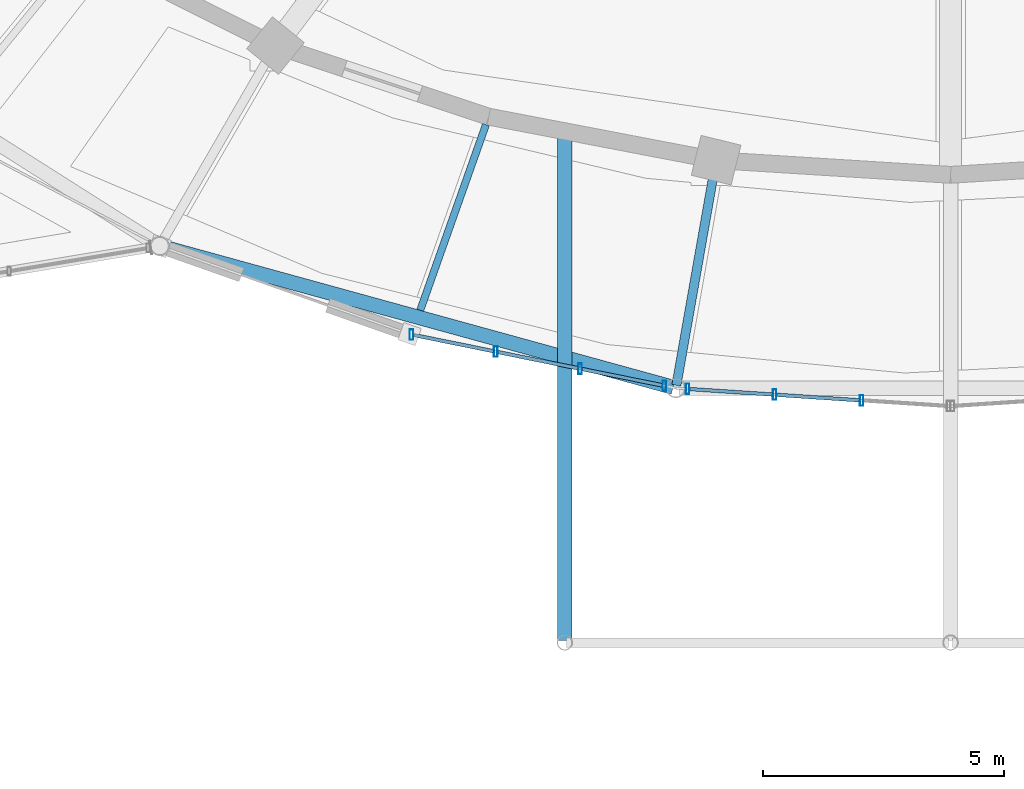
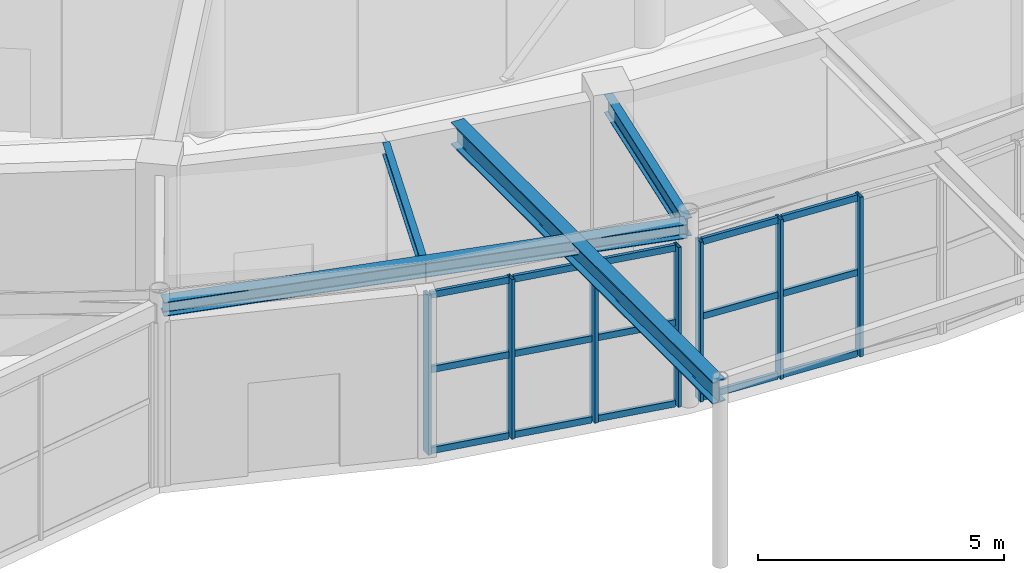
# One storey, part 37 of 108: 22 members, 4 beams, 2 elements without a shape of their own.
"""IFC4 building model written with IfcOpenShell, lengths in metres."""

import ifcopenshell
import ifcopenshell.guid

model = None  # the IFC model being written
_history = None  # IfcOwnerHistory: only IFC2X3 demands one
_inside = {}  # id of a spatial element -> (the spatial element, [elements in it])
_under = {}  # id of a project, library or spatial element -> (it, [spatial elements below it])
_declared = {}  # id of a project -> (the project, [libraries it declares])
_typed = {}  # id of a type object -> (the type object, [elements of that type])
_made_of = {}  # id of a material, layer set ... -> (it, [elements and type objects made of it])


def new_model(schema):
    """Start an empty IFC model of exactly this schema.

    Asked for "IFC4X3", IfcOpenShell would pick the latest addendum, in which some entities
    have other attributes; the version numbers below select the first issue.
    IFC2X3 requires an IfcOwnerHistory on every rooted entity: one is made here for all.
    """
    global model, _history
    if schema == "IFC4X3":
        model = ifcopenshell.file(schema_version=(4, 3, 0, 0))
    else:
        model = ifcopenshell.file(schema=schema)
    _inside.clear()
    _under.clear()
    _declared.clear()
    _typed.clear()
    _made_of.clear()
    _history = None
    if model.schema == "IFC2X3":
        org = make("IfcOrganization", Name="unknown")
        user = make(
            "IfcPersonAndOrganization",
            ThePerson=make("IfcPerson", FamilyName="unknown"),
            TheOrganization=org,
        )
        app = make(
            "IfcApplication",
            ApplicationDeveloper=org,
            Version="unknown",
            ApplicationFullName="unknown",
            ApplicationIdentifier="unknown",
        )
        _history = make(
            "IfcOwnerHistory",
            OwningUser=user,
            OwningApplication=app,
            ChangeAction="ADDED",
            CreationDate=0,
        )
    return model


def make(cls, **values):
    """One entity of the class cls with the attributes given. An attribute that is None is left unset."""
    return model.create_entity(
        cls, **{name: value for name, value in values.items() if value is not None}
    )


def rooted(cls, **values):
    """An entity with a GlobalId (a new one), such as an element, a storey or a relation."""
    return make(cls, GlobalId=ifcopenshell.guid.new(), OwnerHistory=_history, **values)


def si_unit(unit_type, name, prefix=None):
    """IfcSIUnit, for example si_unit("LENGTHUNIT", "METRE", prefix="MILLI")."""
    return make("IfcSIUnit", UnitType=unit_type, Prefix=prefix, Name=name)


def assignment(units):
    """IfcUnitAssignment: the units of a project."""
    return None if units is None else make("IfcUnitAssignment", Units=units)


def point(xyz):
    """IfcCartesianPoint."""
    return None if xyz is None else make("IfcCartesianPoint", Coordinates=xyz)


def direction(xyz):
    """IfcDirection."""
    return None if xyz is None else make("IfcDirection", DirectionRatios=xyz)


def frame(location, z_axis=None, x_axis=None):
    """IfcAxis2Placement3D, a coordinate frame: its origin and axes. An axis left out is left unset."""
    return make(
        "IfcAxis2Placement3D",
        Location=point(location),
        Axis=direction(z_axis),
        RefDirection=direction(x_axis),
    )


def frame_2d(location, x_axis=None):
    """IfcAxis2Placement2D, a coordinate frame in the plane: its origin and x axis."""
    return make(
        "IfcAxis2Placement2D", Location=point(location), RefDirection=direction(x_axis)
    )


def origin():
    """The frame at (0, 0, 0) with its axes left unset."""
    return frame((0.0, 0.0, 0.0))


def origin_2d():
    """The frame at (0, 0) in the plane with its x axis left unset."""
    return frame_2d((0.0, 0.0))


def place(relative_to, where):
    """IfcLocalPlacement: puts the frame where relative to a parent placement (None: the world)."""
    return make(
        "IfcLocalPlacement", PlacementRelTo=relative_to, RelativePlacement=where
    )


def context(
    kind, dimensions, precision=None, world=None, true_north=None, identifier=None
):
    """IfcGeometricRepresentationContext, for example the 3D "Model" context."""
    return make(
        "IfcGeometricRepresentationContext",
        ContextIdentifier=identifier,
        ContextType=kind,
        CoordinateSpaceDimension=dimensions,
        Precision=precision,
        WorldCoordinateSystem=world,
        TrueNorth=true_north,
    )


def subcontext(parent, identifier, kind, view, scale=None):
    """IfcGeometricRepresentationSubContext, for example "Body" below "Model"."""
    return make(
        "IfcGeometricRepresentationSubContext",
        ContextIdentifier=identifier,
        ContextType=kind,
        ParentContext=parent,
        TargetScale=scale,
        TargetView=view,
    )


def project(units=None, contexts=None):
    """IfcProject with its units and contexts."""
    return rooted(
        "IfcProject",
        Name="project",
        RepresentationContexts=contexts,
        UnitsInContext=assignment(units),
    )


def spatial(cls, under=None, at=None, **own):
    """A site, building, storey or space (cls), placed at a placement, below another one or the project."""
    s = rooted(cls, ObjectPlacement=at, **own)
    if under is not None:
        _under.setdefault(under.id(), (under, []))[1].append(s)
    return s


def profile(cls, at=None, kind="AREA", **sizes):
    """A parametric profile (cls). Its sizes go by their IFC names, for example OverallWidth=200.0."""
    return make(cls, ProfileType=kind, Position=at, **sizes)


def hollow_rectangle(**sizes):
    """IfcRectangleHollowProfileDef."""
    return profile("IfcRectangleHollowProfileDef", **sizes)


def i_section(**sizes):
    """IfcIShapeProfileDef."""
    return profile("IfcIShapeProfileDef", **sizes)


def extrude(swept, where, along, depth):
    """IfcExtrudedAreaSolid: the profile swept, set in the frame where, extruded along a direction by depth."""
    return make(
        "IfcExtrudedAreaSolid",
        SweptArea=swept,
        Position=where,
        ExtrudedDirection=direction(along),
        Depth=depth,
    )


def shape(context_of_items, identifier, shape_type, items):
    """IfcShapeRepresentation: the items that make up one representation, for example the "Body"."""
    return make(
        "IfcShapeRepresentation",
        ContextOfItems=context_of_items,
        RepresentationIdentifier=identifier,
        RepresentationType=shape_type,
        Items=items,
    )


def material(Name=None, Category=None):
    """IfcMaterial."""
    return make("IfcMaterial", Name=Name, Category=Category)


def material_profile(
    of_material, cross_section, Name=None, Category=None, Priority=None
):
    """IfcMaterialProfile: a cross section and its material."""
    return make(
        "IfcMaterialProfile",
        Name=Name,
        Material=of_material,
        Profile=cross_section,
        Priority=Priority,
        Category=Category,
    )


def profile_set(profiles, Name=None, composite=None):
    """IfcMaterialProfileSet."""
    return make(
        "IfcMaterialProfileSet",
        Name=Name,
        MaterialProfiles=profiles,
        CompositeProfile=composite,
    )


def made_of(thing, what):
    """Note that an element or type object is made of a material, layer set ...; save() writes the relation."""
    if what is not None:
        _made_of.setdefault(what.id(), (what, []))[1].append(thing)
    return thing


def type_object(cls, material=None, **own):
    """A type object (cls), such as IfcWallType, which elements share."""
    return made_of(rooted(cls, **own), material)


def element(
    cls,
    number,
    at=None,
    inside=None,
    cuts=None,
    type_object=None,
    material=None,
    context=None,
    identifier="Body",
    shape_type=None,
    held_by="IfcProductDefinitionShape",
    body=None,
    shapes=None,
    **own,
):
    """One element of the class cls, such as IfcWall. Its Tag is "e" and its number.

    at: its placement. inside: the storey or other place that contains it. cuts: it is an
    opening in that element (IfcRelVoidsElement). A single representation is given by context,
    identifier, shape_type and body (its items); several are given by shapes. held_by: the class
    of the entity that holds the representations. save() writes the other relations.
    """
    e = rooted(cls, Tag="e%d" % number, ObjectPlacement=at, **own)
    if body is not None:
        shapes = [shape(context, identifier, shape_type, body)]
    if shapes is not None:
        e.Representation = make(held_by, Representations=shapes)
    if inside is not None:
        _inside.setdefault(inside.id(), (inside, []))[1].append(e)
    if cuts is not None:
        rooted(
            "IfcRelVoidsElement", RelatingBuildingElement=cuts, RelatedOpeningElement=e
        )
    if type_object is not None:
        _typed.setdefault(type_object.id(), (type_object, []))[1].append(e)
    return made_of(e, material)


def aggregate(whole, parts):
    """IfcRelAggregates: a whole, such as a stair, and the parts it consists of."""
    return rooted("IfcRelAggregates", RelatingObject=whole, RelatedObjects=parts)


def save(model, path):
    """Write the relations noted so far, then the file.

    IfcRelAggregates (storeys below a building ...), IfcRelContainedInSpatialStructure (elements
    in a storey), IfcRelDefinesByType, IfcRelAssociatesMaterial and IfcRelDeclares: one each for
    every whole, place, type object, material and project.
    """
    for whole, parts in _under.values():
        aggregate(whole, parts)
    for where, things in _inside.values():
        rooted(
            "IfcRelContainedInSpatialStructure",
            RelatedElements=things,
            RelatingStructure=where,
        )
    for kind, things in _typed.values():
        rooted("IfcRelDefinesByType", RelatedObjects=things, RelatingType=kind)
    for what, things in _made_of.values():
        rooted("IfcRelAssociatesMaterial", RelatedObjects=things, RelatingMaterial=what)
    for by, libraries in _declared.values():
        rooted("IfcRelDeclares", RelatingContext=by, RelatedDefinitions=libraries)
    model.write(path)


model = new_model("IFC4")

# Units and contexts
model_context = context("Model", 3, precision=1e-05, world=origin(), true_north=direction((0.0, 1.0)))
body_context = subcontext(model_context, "Body", "Model", "MODEL_VIEW")
ifc_project = project(units=[si_unit("LENGTHUNIT", "METRE"), si_unit("AREAUNIT", "SQUARE_METRE"), si_unit("VOLUMEUNIT", "CUBIC_METRE"), si_unit("PLANEANGLEUNIT", "RADIAN"), si_unit("MASSUNIT", "GRAM", prefix="KILO")], contexts=[model_context])

# Site, building, storey
site_placement = place(None, origin())
site = spatial("IfcSite", under=ifc_project, at=site_placement, CompositionType="ELEMENT")
building_placement = place(site_placement, origin())
building = spatial("IfcBuilding", under=site, at=building_placement, Name="Tarnveldt Headland Concert Hall", CompositionType="ELEMENT")
storey_placement = place(building_placement, origin())
storey = spatial("IfcBuildingStorey", under=building, at=storey_placement, Name="L00", CompositionType="ELEMENT", Elevation=0.0)

# Curtain wall, members
ifc_material_1 = material(Name="Marine-anodised aluminium EN AW-6063-T6", Category="aluminium")
curtain_wall_type = type_object("IfcCurtainWallType", Name="CW-F1", PredefinedType="NOTDEFINED", material=ifc_material_1)
curtain_wall_1_placement = place(storey_placement, origin())
curtain_wall_1 = element("IfcCurtainWall", 1, at=curtain_wall_1_placement, inside=storey, type_object=curtain_wall_type, Name="Curtain wall CW-L00-018", PredefinedType="NOTDEFINED")
ifc_material_profile_1 = material_profile(ifc_material_1, hollow_rectangle(XDim=0.074951171875, YDim=0.219970703125, WallThickness=0.0048828125, at=origin_2d()), Name="ALU MULLION 75x220x5", Category="aluminium")
ifc_profile_set_1 = profile_set([ifc_material_profile_1], Name="Marine-anodised aluminium EN AW-6063-T6")
member_type_1 = type_object("IfcMemberType", Name="ML-200", PredefinedType="MULLION", material=ifc_profile_set_1)
member_1_placement = place(storey_placement, frame((72.32080078125, 31.187744140625, 0.0), z_axis=(0.0, 0.0, 1.0), x_axis=(1.0, 0.0, 0.0)))
member_1 = element("IfcMember", 2, at=member_1_placement, type_object=member_type_1, Name="Mullion CW-L00-018-1", PredefinedType="MULLION", context=body_context, shape_type="SweptSolid", body=[
    extrude(hollow_rectangle(XDim=0.074951171875, YDim=0.219970703125, WallThickness=0.0048828125, at=origin_2d()), origin(), (0.0, 0.0, 1.0), 3.9580078125),
])
member_2_placement = place(storey_placement, frame((74.069091796875, 30.83349609375, 0.0), z_axis=(0.0, 0.0, 1.0), x_axis=(1.0, 0.0, 0.0)))
member_2 = element("IfcMember", 3, at=member_2_placement, type_object=member_type_1, Name="Mullion CW-L00-018-2", PredefinedType="MULLION", context=body_context, shape_type="SweptSolid", body=[
    extrude(hollow_rectangle(XDim=0.074951171875, YDim=0.219970703125, WallThickness=0.0048828125, at=origin_2d()), origin(), (0.0, 0.0, 1.0), 3.9580078125),
])
member_3_placement = place(storey_placement, frame((75.817626953125, 30.479248046875, 0.0), z_axis=(0.0, 0.0, 1.0), x_axis=(1.0, 0.0, 0.0)))
member_3 = element("IfcMember", 4, at=member_3_placement, type_object=member_type_1, Name="Mullion CW-L00-018-3", PredefinedType="MULLION", context=body_context, shape_type="SweptSolid", body=[
    extrude(hollow_rectangle(XDim=0.074951171875, YDim=0.219970703125, WallThickness=0.0048828125, at=origin_2d()), origin(), (0.0, 0.0, 1.0), 3.9580078125),
])
member_4_placement = place(storey_placement, frame((77.56591796875, 30.125, 0.0), z_axis=(0.0, 0.0, 1.0), x_axis=(1.0, 0.0, 0.0)))
member_4 = element("IfcMember", 5, at=member_4_placement, type_object=member_type_1, Name="Mullion CW-L00-018-4", PredefinedType="MULLION", context=body_context, shape_type="SweptSolid", body=[
    extrude(hollow_rectangle(XDim=0.074951171875, YDim=0.219970703125, WallThickness=0.0048828125, at=origin_2d()), origin(), (0.0, 0.0, 1.0), 3.9580078125),
])

curtain_wall_2_placement = place(storey_placement, origin())
curtain_wall_2 = element("IfcCurtainWall", 6, at=curtain_wall_2_placement, inside=storey, type_object=curtain_wall_type, Name="Curtain wall CW-L00-019", PredefinedType="NOTDEFINED")
member_5_placement = place(storey_placement, frame((78.047119140625, 30.060791015625, 0.0), z_axis=(0.0, 0.0, 1.0), x_axis=(1.0, 0.0, 0.0)))
member_5 = element("IfcMember", 7, at=member_5_placement, type_object=member_type_1, Name="Mullion CW-L00-019-1", PredefinedType="MULLION", context=body_context, shape_type="SweptSolid", body=[
    extrude(hollow_rectangle(XDim=0.074951171875, YDim=0.219970703125, WallThickness=0.0048828125, at=origin_2d()), origin(), (0.0, 0.0, 1.0), 3.9580078125),
])
member_6_placement = place(storey_placement, frame((79.851318359375, 29.94140625, 0.0), z_axis=(0.0, 0.0, 1.0), x_axis=(1.0, 0.0, 0.0)))
member_6 = element("IfcMember", 8, at=member_6_placement, type_object=member_type_1, Name="Mullion CW-L00-019-2", PredefinedType="MULLION", context=body_context, shape_type="SweptSolid", body=[
    extrude(hollow_rectangle(XDim=0.074951171875, YDim=0.219970703125, WallThickness=0.0048828125, at=origin_2d()), origin(), (0.0, 0.0, 1.0), 3.9580078125),
])
member_7_placement = place(storey_placement, frame((81.65576171875, 29.822021484375, 0.0), z_axis=(0.0, 0.0, 1.0), x_axis=(1.0, 0.0, 0.0)))
member_7 = element("IfcMember", 9, at=member_7_placement, type_object=member_type_1, Name="Mullion CW-L00-019-3", PredefinedType="MULLION", context=body_context, shape_type="SweptSolid", body=[
    extrude(hollow_rectangle(XDim=0.074951171875, YDim=0.219970703125, WallThickness=0.0048828125, at=origin_2d()), origin(), (0.0, 0.0, 1.0), 3.9580078125),
])

# Beams
ifc_material_2 = material(Name="Steel S355", Category="steel")
ifc_material_profile_2 = material_profile(ifc_material_2, i_section(OverallWidth=0.300048828125, OverallDepth=0.35009765625, WebThickness=0.010009765625, FlangeThickness=0.017578125, FilletRadius=0.027099609375, at=origin_2d()), Name="HEA360", Category="steel")
ifc_profile_set_2 = profile_set([ifc_material_profile_2], Name="Steel S355")
beam_type_1 = type_object("IfcBeamType", Name="SB-HEA360", PredefinedType="SPANDREL", material=ifc_profile_set_2)
beam_1_placement = place(storey_placement, frame((67.15771484375, 33.006591796875, 4.344970703125), z_axis=(0.964161617091, -0.265315616065, 0.0), x_axis=(0.265315616065, 0.964161617091, 0.0)))
element("IfcBeam", 10, at=beam_1_placement, inside=storey, type_object=beam_type_1, Name="Framing beam L00-383", PredefinedType="SPANDREL", context=body_context, shape_type="SweptSolid", body=[
    extrude(i_section(OverallWidth=0.300048828125, OverallDepth=0.35009765625, WebThickness=0.010009765625, FlangeThickness=0.017578125, FilletRadius=0.027099609375, at=origin_2d()), origin(), (0.0, 0.0, 1.0), 10.982421875),
])
ifc_material_profile_3 = material_profile(ifc_material_2, i_section(OverallWidth=0.300048828125, OverallDepth=0.550048828125, WebThickness=0.014892578125, FlangeThickness=0.029052734375, FilletRadius=0.027099609375, at=origin_2d()), Name="HEB550", Category="steel")
ifc_profile_set_3 = profile_set([ifc_material_profile_3], Name="Steel S355")
beam_type_2 = type_object("IfcBeamType", Name="SB-HEB550", PredefinedType="BEAM", material=ifc_profile_set_3)
beam_2_placement = place(storey_placement, frame((75.5, 35.47998046875, 4.2451171875), z_axis=(0.0, -1.0, 0.0), x_axis=(1.0, 0.0, 0.0)))
element("IfcBeam", 11, at=beam_2_placement, inside=storey, type_object=beam_type_2, Name="Framing beam L00-1448", PredefinedType="BEAM", context=body_context, shape_type="SweptSolid", body=[
    extrude(i_section(OverallWidth=0.300048828125, OverallDepth=0.550048828125, WebThickness=0.014892578125, FlangeThickness=0.029052734375, FilletRadius=0.027099609375, at=origin_2d()), origin(), (0.0, 0.0, 1.0), 10.639892578125),
])
ifc_material_profile_4 = material_profile(ifc_material_2, i_section(OverallWidth=0.14990234375, OverallDepth=0.300048828125, WebThickness=0.007080078125, FlangeThickness=0.0107421875, FilletRadius=0.014892578125, at=origin_2d()), Name="IPE300", Category="steel")
ifc_profile_set_4 = profile_set([ifc_material_profile_4], Name="Steel S355")
beam_type_3 = type_object("IfcBeamType", Name="SB-IPE300", PredefinedType="JOIST", material=ifc_profile_set_4)
beam_3_placement = place(storey_placement, frame((73.864990234375, 35.541015625, 4.3701171875), z_axis=(-0.33369553072, -0.942680907188, 0.0), x_axis=(0.942680907188, -0.33369553072, 0.0)))
element("IfcBeam", 12, at=beam_3_placement, inside=storey, type_object=beam_type_3, Name="Framing beam L00-385", PredefinedType="JOIST", context=body_context, shape_type="SweptSolid", body=[
    extrude(i_section(OverallWidth=0.14990234375, OverallDepth=0.300048828125, WebThickness=0.007080078125, FlangeThickness=0.0107421875, FilletRadius=0.014892578125, at=origin_2d()), origin(), (0.0, 0.0, 1.0), 4.083984375),
])
ifc_material_profile_5 = material_profile(ifc_material_2, i_section(OverallWidth=0.18994140625, OverallDepth=0.449951171875, WebThickness=0.009521484375, FlangeThickness=0.0146484375, FilletRadius=0.02099609375, at=origin_2d()), Name="IPE450", Category="steel")
ifc_profile_set_5 = profile_set([ifc_material_profile_5], Name="Steel S355")
beam_type_4 = type_object("IfcBeamType", Name="SB-IPE450", PredefinedType="BEAM", material=ifc_profile_set_5)
beam_4_placement = place(storey_placement, frame((78.631103515625, 34.764404296875, 4.294921875), z_axis=(-0.173708285572, -0.984797152475, 0.0), x_axis=(0.984797152475, -0.173708285572, 0.0)))
element("IfcBeam", 13, at=beam_4_placement, inside=storey, type_object=beam_type_4, Name="Framing beam L00-387", PredefinedType="BEAM", context=body_context, shape_type="SweptSolid", body=[
    extrude(i_section(OverallWidth=0.18994140625, OverallDepth=0.449951171875, WebThickness=0.009521484375, FlangeThickness=0.0146484375, FilletRadius=0.02099609375, at=origin_2d()), origin(), (0.0, 0.0, 1.0), 4.699951171875),
])

# Member
ifc_material_profile_6 = material_profile(ifc_material_1, hollow_rectangle(XDim=0.074951171875, YDim=0.159912109375, WallThickness=0.00390625, at=origin_2d()), Name="ALU TRANSOM 75x160x4", Category="aluminium")
ifc_profile_set_6 = profile_set([ifc_material_profile_6], Name="Marine-anodised aluminium EN AW-6063-T6")
member_type_2 = type_object("IfcMemberType", Name="TR-160", PredefinedType="MEMBER", material=ifc_profile_set_6)
member_8_placement = place(storey_placement, frame((72.369384765625, 31.177978515625, 0.050048828125), z_axis=(0.980070264474, -0.198651143198, 0.0), x_axis=(0.198651143198, 0.980070264474, 0.0)))
member_8 = element("IfcMember", 14, at=member_8_placement, type_object=member_type_2, Name="Transom CW-L00-018-1-1", PredefinedType="MEMBER", context=body_context, shape_type="SweptSolid", body=[
    extrude(hollow_rectangle(XDim=0.074951171875, YDim=0.159912109375, WallThickness=0.00390625, at=origin_2d()), origin(), (0.0, 0.0, 1.0), 1.68505859375),
])

member_9_placement = place(storey_placement, frame((72.369384765625, 31.177978515625, 2.05810546875), z_axis=(0.980070264474, -0.198651143198, 0.0), x_axis=(0.198651143198, 0.980070264474, 0.0)))
member_9 = element("IfcMember", 15, at=member_9_placement, type_object=member_type_2, Name="Transom CW-L00-018-1-2", PredefinedType="MEMBER", context=body_context, shape_type="SweptSolid", body=[
    extrude(hollow_rectangle(XDim=0.074951171875, YDim=0.159912109375, WallThickness=0.00390625, at=origin_2d()), origin(), (0.0, 0.0, 1.0), 1.68505859375),
])

member_10_placement = place(storey_placement, frame((72.369384765625, 31.177978515625, 3.907958984375), z_axis=(0.980070264474, -0.198651143198, 0.0), x_axis=(0.198651143198, 0.980070264474, 0.0)))
member_10 = element("IfcMember", 16, at=member_10_placement, type_object=member_type_2, Name="Transom CW-L00-018-1-3", PredefinedType="MEMBER", context=body_context, shape_type="SweptSolid", body=[
    extrude(hollow_rectangle(XDim=0.074951171875, YDim=0.159912109375, WallThickness=0.00390625, at=origin_2d()), origin(), (0.0, 0.0, 1.0), 1.68505859375),
])

member_11_placement = place(storey_placement, frame((74.11767578125, 30.82373046875, 0.050048828125), z_axis=(0.980070264474, -0.198651143198, 0.0), x_axis=(0.198651143198, 0.980070264474, 0.0)))
member_11 = element("IfcMember", 17, at=member_11_placement, type_object=member_type_2, Name="Transom CW-L00-018-2-1", PredefinedType="MEMBER", context=body_context, shape_type="SweptSolid", body=[
    extrude(hollow_rectangle(XDim=0.074951171875, YDim=0.159912109375, WallThickness=0.00390625, at=origin_2d()), origin(), (0.0, 0.0, 1.0), 1.68505859375),
])

member_12_placement = place(storey_placement, frame((74.11767578125, 30.82373046875, 2.05810546875), z_axis=(0.980070264474, -0.198651143198, 0.0), x_axis=(0.198651143198, 0.980070264474, 0.0)))
member_12 = element("IfcMember", 18, at=member_12_placement, type_object=member_type_2, Name="Transom CW-L00-018-2-2", PredefinedType="MEMBER", context=body_context, shape_type="SweptSolid", body=[
    extrude(hollow_rectangle(XDim=0.074951171875, YDim=0.159912109375, WallThickness=0.00390625, at=origin_2d()), origin(), (0.0, 0.0, 1.0), 1.68505859375),
])

member_13_placement = place(storey_placement, frame((74.11767578125, 30.82373046875, 3.907958984375), z_axis=(0.980070264474, -0.198651143198, 0.0), x_axis=(0.198651143198, 0.980070264474, 0.0)))
member_13 = element("IfcMember", 19, at=member_13_placement, type_object=member_type_2, Name="Transom CW-L00-018-2-3", PredefinedType="MEMBER", context=body_context, shape_type="SweptSolid", body=[
    extrude(hollow_rectangle(XDim=0.074951171875, YDim=0.159912109375, WallThickness=0.00390625, at=origin_2d()), origin(), (0.0, 0.0, 1.0), 1.68505859375),
])

member_14_placement = place(storey_placement, frame((75.8662109375, 30.469482421875, 0.050048828125), z_axis=(0.980092754065, -0.19854015571, 0.0), x_axis=(0.19854015571, 0.980092754065, 0.0)))
member_14 = element("IfcMember", 20, at=member_14_placement, type_object=member_type_2, Name="Transom CW-L00-018-3-1", PredefinedType="MEMBER", context=body_context, shape_type="SweptSolid", body=[
    extrude(hollow_rectangle(XDim=0.074951171875, YDim=0.159912109375, WallThickness=0.00390625, at=origin_2d()), origin(), (0.0, 0.0, 1.0), 1.6845703125),
])

member_15_placement = place(storey_placement, frame((75.8662109375, 30.469482421875, 2.05810546875), z_axis=(0.980092754065, -0.19854015571, 0.0), x_axis=(0.19854015571, 0.980092754065, 0.0)))
member_15 = element("IfcMember", 21, at=member_15_placement, type_object=member_type_2, Name="Transom CW-L00-018-3-2", PredefinedType="MEMBER", context=body_context, shape_type="SweptSolid", body=[
    extrude(hollow_rectangle(XDim=0.074951171875, YDim=0.159912109375, WallThickness=0.00390625, at=origin_2d()), origin(), (0.0, 0.0, 1.0), 1.6845703125),
])

member_16_placement = place(storey_placement, frame((75.8662109375, 30.469482421875, 3.907958984375), z_axis=(0.980092754065, -0.19854015571, 0.0), x_axis=(0.19854015571, 0.980092754065, 0.0)))
member_16 = element("IfcMember", 22, at=member_16_placement, type_object=member_type_2, Name="Transom CW-L00-018-3-3", PredefinedType="MEMBER", context=body_context, shape_type="SweptSolid", body=[
    extrude(hollow_rectangle(XDim=0.074951171875, YDim=0.159912109375, WallThickness=0.00390625, at=origin_2d()), origin(), (0.0, 0.0, 1.0), 1.6845703125),
])

aggregate(curtain_wall_1, [member_1, member_2, member_3, member_4, member_8, member_9, member_10, member_11, member_12, member_13, member_14, member_15, member_16])

member_17_placement = place(storey_placement, frame((78.096435546875, 30.057373046875, 0.050048828125), z_axis=(0.997820408488, -0.065988123207, 0.0), x_axis=(0.065988123207, 0.997820408488, 0.0)))
member_17 = element("IfcMember", 23, at=member_17_placement, type_object=member_type_2, Name="Transom CW-L00-019-1-1", PredefinedType="MEMBER", context=body_context, shape_type="SweptSolid", body=[
    extrude(hollow_rectangle(XDim=0.074951171875, YDim=0.159912109375, WallThickness=0.00390625, at=origin_2d()), origin(), (0.0, 0.0, 1.0), 1.709228515625),
])

member_18_placement = place(storey_placement, frame((78.096435546875, 30.057373046875, 2.05810546875), z_axis=(0.997820408488, -0.065988123207, 0.0), x_axis=(0.065988123207, 0.997820408488, 0.0)))
member_18 = element("IfcMember", 24, at=member_18_placement, type_object=member_type_2, Name="Transom CW-L00-019-1-2", PredefinedType="MEMBER", context=body_context, shape_type="SweptSolid", body=[
    extrude(hollow_rectangle(XDim=0.074951171875, YDim=0.159912109375, WallThickness=0.00390625, at=origin_2d()), origin(), (0.0, 0.0, 1.0), 1.709228515625),
])

member_19_placement = place(storey_placement, frame((78.096435546875, 30.057373046875, 3.907958984375), z_axis=(0.997820408488, -0.065988123207, 0.0), x_axis=(0.065988123207, 0.997820408488, 0.0)))
member_19 = element("IfcMember", 25, at=member_19_placement, type_object=member_type_2, Name="Transom CW-L00-019-1-3", PredefinedType="MEMBER", context=body_context, shape_type="SweptSolid", body=[
    extrude(hollow_rectangle(XDim=0.074951171875, YDim=0.159912109375, WallThickness=0.00390625, at=origin_2d()), origin(), (0.0, 0.0, 1.0), 1.709228515625),
])

member_20_placement = place(storey_placement, frame((79.90087890625, 29.93798828125, 0.050048828125), z_axis=(0.997819786405, -0.06599752918, 0.0), x_axis=(0.06599752918, 0.997819786405, 0.0)))
member_20 = element("IfcMember", 26, at=member_20_placement, type_object=member_type_2, Name="Transom CW-L00-019-2-1", PredefinedType="MEMBER", context=body_context, shape_type="SweptSolid", body=[
    extrude(hollow_rectangle(XDim=0.074951171875, YDim=0.159912109375, WallThickness=0.00390625, at=origin_2d()), origin(), (0.0, 0.0, 1.0), 1.708984375),
])

member_21_placement = place(storey_placement, frame((79.90087890625, 29.93798828125, 2.05810546875), z_axis=(0.997819786405, -0.06599752918, 0.0), x_axis=(0.06599752918, 0.997819786405, 0.0)))
member_21 = element("IfcMember", 27, at=member_21_placement, type_object=member_type_2, Name="Transom CW-L00-019-2-2", PredefinedType="MEMBER", context=body_context, shape_type="SweptSolid", body=[
    extrude(hollow_rectangle(XDim=0.074951171875, YDim=0.159912109375, WallThickness=0.00390625, at=origin_2d()), origin(), (0.0, 0.0, 1.0), 1.708984375),
])

member_22_placement = place(storey_placement, frame((79.90087890625, 29.93798828125, 3.907958984375), z_axis=(0.997819786405, -0.06599752918, 0.0), x_axis=(0.06599752918, 0.997819786405, 0.0)))
member_22 = element("IfcMember", 28, at=member_22_placement, type_object=member_type_2, Name="Transom CW-L00-019-2-3", PredefinedType="MEMBER", context=body_context, shape_type="SweptSolid", body=[
    extrude(hollow_rectangle(XDim=0.074951171875, YDim=0.159912109375, WallThickness=0.00390625, at=origin_2d()), origin(), (0.0, 0.0, 1.0), 1.708984375),
])

aggregate(curtain_wall_2, [member_5, member_6, member_7, member_17, member_18, member_19, member_20, member_21, member_22])

save(model, "model.ifc")
